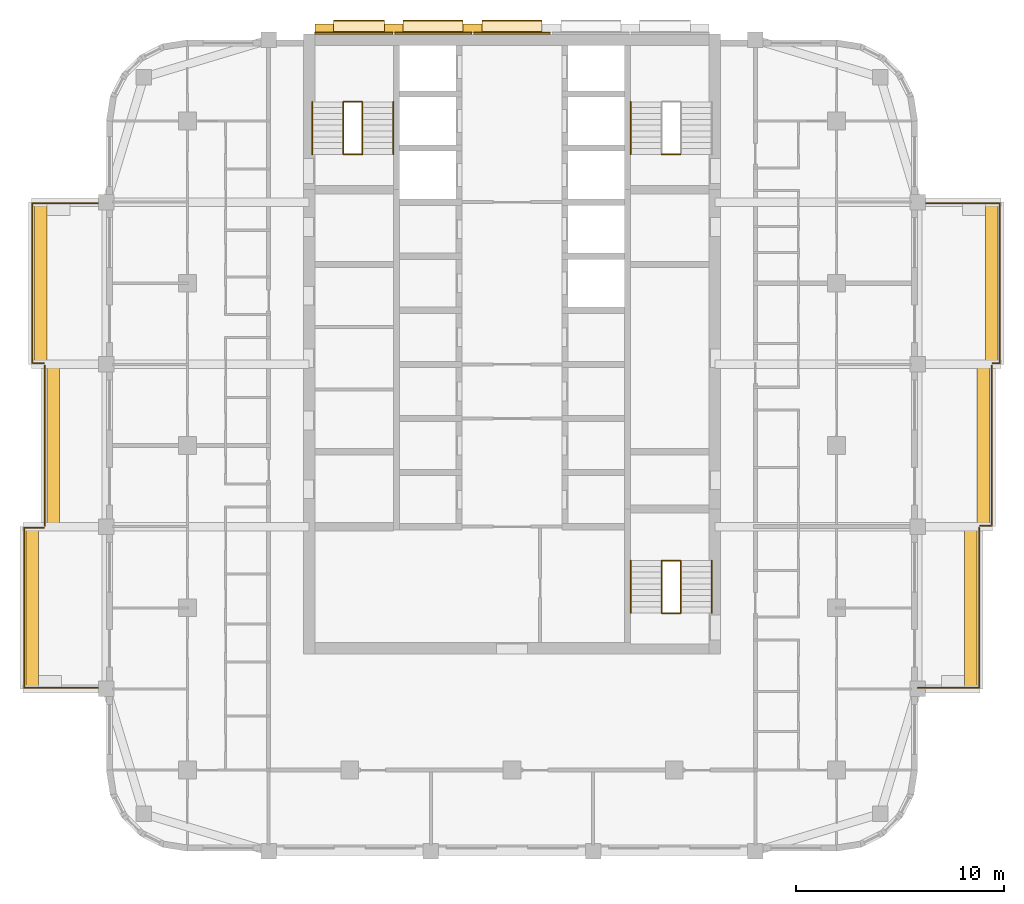
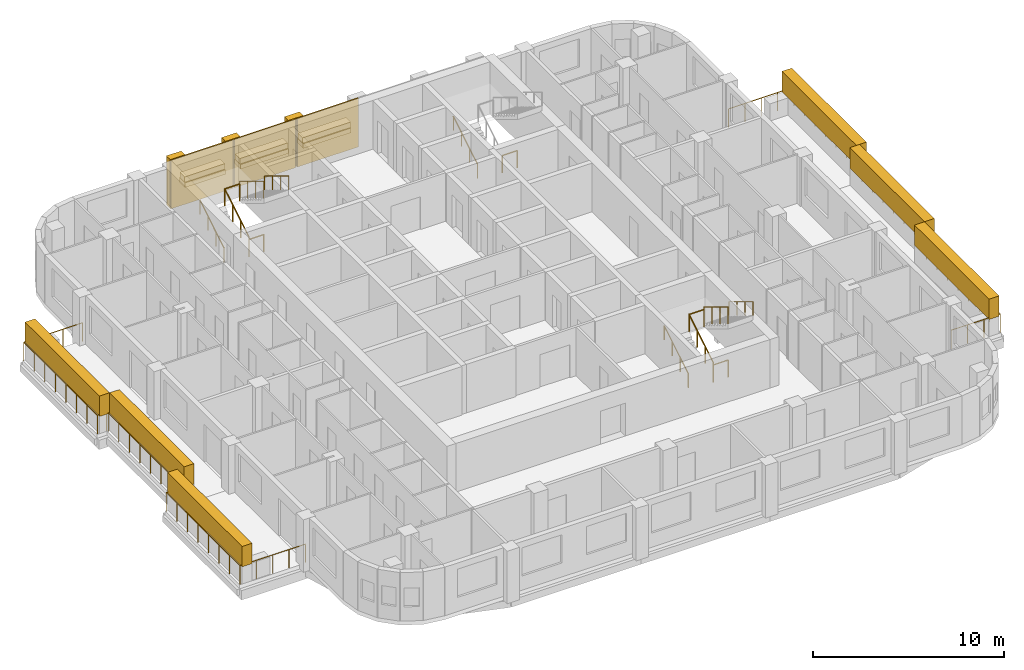
# One storey, part 12 of 13: 20 railings, 18 coverings, 3 elements without a shape of their own.
"""IFC4 building model written with IfcOpenShell, lengths in metres."""

from ifc_helpers import new_model, si_unit, direction, frame, origin, origin_2d, place, context, subcontext, project, spatial, rectangle, circle, extrude, material, layer, layer_set, type_object, element, aggregate, save


model = new_model("IFC4")

# Units and contexts
model_context = context("Model", 3, precision=1e-05, world=origin(), true_north=direction((0.0, 1.0)))
body_context = subcontext(model_context, "Body", "Model", "MODEL_VIEW")
ifc_project = project(units=[si_unit("LENGTHUNIT", "METRE"), si_unit("AREAUNIT", "SQUARE_METRE"), si_unit("VOLUMEUNIT", "CUBIC_METRE"), si_unit("PLANEANGLEUNIT", "RADIAN"), si_unit("MASSUNIT", "GRAM", prefix="KILO")], contexts=[model_context])

# Site, building, storey
site_placement = place(None, origin())
site = spatial("IfcSite", under=ifc_project, at=site_placement, CompositionType="ELEMENT")
building_placement = place(site_placement, origin())
building = spatial("IfcBuilding", under=site, at=building_placement, Name="Ludao Terraces", CompositionType="ELEMENT")
storey_placement = place(building_placement, frame((0.0, 0.0, 189.39990234375)))
storey = spatial("IfcBuildingStorey", under=building, at=storey_placement, Name="L51", CompositionType="ELEMENT", Elevation=189.39990234375)

# Railings
ifc_material_1 = material(Name="Stainless steel 304", Category="steel")
railing_type_1 = type_object("IfcRailingType", Name="ENV Balcony glass guard 1200", PredefinedType="GUARDRAIL", material=ifc_material_1)
railing_1_placement = place(storey_placement, frame((104.5, 53.35009765625, 0.0)))
element("IfcRailing", 1, at=railing_1_placement, inside=storey, type_object=railing_type_1, Name="Balcony guard L51 E1", PredefinedType="GUARDRAIL", context=body_context, shape_type="SweptSolid", body=[
    extrude(circle(Radius=0.02392578125, at=origin_2d()), frame((0.0, 0.0, 1.17578125), z_axis=(1.0, 0.0, 0.0), x_axis=(0.0, 1.0, 0.0)), (0.0, 0.0, 1.0), 2.949951171875),
    extrude(circle(Radius=0.02392578125, at=origin_2d()), frame((2.949951171875, 0.0, 1.17578125), z_axis=(0.0, 1.0, 0.0), x_axis=(-1.0, 0.0, 0.0)), (0.0, 0.0, 1.0), 7.699951171875),
    extrude(circle(Radius=0.02099609375, at=origin_2d()), origin(), (0.0, 0.0, 1.0), 1.15185546875),
    extrude(circle(Radius=0.02099609375, at=origin_2d()), frame((0.9833984375, 0.0, 0.0)), (0.0, 0.0, 1.0), 1.15185546875),
    extrude(circle(Radius=0.02099609375, at=origin_2d()), frame((1.966552734375, 0.0, 0.0)), (0.0, 0.0, 1.0), 1.15185546875),
    extrude(circle(Radius=0.02099609375, at=origin_2d()), frame((2.949951171875, 0.0, 0.0)), (0.0, 0.0, 1.0), 1.15185546875),
    extrude(circle(Radius=0.02099609375, at=origin_2d()), frame((2.949951171875, 1.10009765625, 0.0)), (0.0, 0.0, 1.0), 1.15185546875),
    extrude(circle(Radius=0.02099609375, at=origin_2d()), frame((2.949951171875, 2.199951171875, 0.0)), (0.0, 0.0, 1.0), 1.15185546875),
    extrude(circle(Radius=0.02099609375, at=origin_2d()), frame((2.949951171875, 3.300048828125, 0.0)), (0.0, 0.0, 1.0), 1.15185546875),
    extrude(circle(Radius=0.02099609375, at=origin_2d()), frame((2.949951171875, 4.39990234375, 0.0)), (0.0, 0.0, 1.0), 1.15185546875),
    extrude(circle(Radius=0.02099609375, at=origin_2d()), frame((2.949951171875, 5.5, 0.0)), (0.0, 0.0, 1.0), 1.15185546875),
    extrude(circle(Radius=0.02099609375, at=origin_2d()), frame((2.949951171875, 6.599853515625, 0.0)), (0.0, 0.0, 1.0), 1.15185546875),
    extrude(circle(Radius=0.02099609375, at=origin_2d()), frame((2.949951171875, 7.699951171875, 0.0)), (0.0, 0.0, 1.0), 1.15185546875),
])
railing_2_placement = place(storey_placement, frame((107.5, 61.14990234375, 0.0)))
element("IfcRailing", 2, at=railing_2_placement, inside=storey, type_object=railing_type_1, Name="Balcony guard L51 E2", PredefinedType="GUARDRAIL", context=body_context, shape_type="SweptSolid", body=[
    extrude(circle(Radius=0.02392578125, at=origin_2d()), frame((0.0, 0.0, 1.17578125), z_axis=(1.0, 0.0, 0.0), x_axis=(0.0, 1.0, 0.0)), (0.0, 0.0, 1.0), 0.550048828125),
    extrude(circle(Radius=0.02392578125, at=origin_2d()), frame((0.550048828125, 0.0, 1.17578125), z_axis=(0.0, 1.0, 0.0), x_axis=(-1.0, 0.0, 0.0)), (0.0, 0.0, 1.0), 7.7001953125),
    extrude(circle(Radius=0.02099609375, at=origin_2d()), origin(), (0.0, 0.0, 1.0), 1.15185546875),
    extrude(circle(Radius=0.02099609375, at=origin_2d()), frame((0.550048828125, 0.0, 0.0)), (0.0, 0.0, 1.0), 1.15185546875),
    extrude(circle(Radius=0.02099609375, at=origin_2d()), frame((0.550048828125, 1.10009765625, 0.0)), (0.0, 0.0, 1.0), 1.15185546875),
    extrude(circle(Radius=0.02099609375, at=origin_2d()), frame((0.550048828125, 2.199951171875, 0.0)), (0.0, 0.0, 1.0), 1.15185546875),
    extrude(circle(Radius=0.02099609375, at=origin_2d()), frame((0.550048828125, 3.300048828125, 0.0)), (0.0, 0.0, 1.0), 1.15185546875),
    extrude(circle(Radius=0.02099609375, at=origin_2d()), frame((0.550048828125, 4.400146484375, 0.0)), (0.0, 0.0, 1.0), 1.15185546875),
    extrude(circle(Radius=0.02099609375, at=origin_2d()), frame((0.550048828125, 5.500244140625, 0.0)), (0.0, 0.0, 1.0), 1.15185546875),
    extrude(circle(Radius=0.02099609375, at=origin_2d()), frame((0.550048828125, 6.60009765625, 0.0)), (0.0, 0.0, 1.0), 1.15185546875),
    extrude(circle(Radius=0.02099609375, at=origin_2d()), frame((0.550048828125, 7.7001953125, 0.0)), (0.0, 0.0, 1.0), 1.15185546875),
])
railing_3_placement = place(storey_placement, frame((108.10009765625, 68.949951171875, 0.0)))
element("IfcRailing", 3, at=railing_3_placement, inside=storey, type_object=railing_type_1, Name="Balcony guard L51 E3", PredefinedType="GUARDRAIL", context=body_context, shape_type="SweptSolid", body=[
    extrude(circle(Radius=0.02392578125, at=origin_2d()), frame((0.0, 0.0, 1.17578125), z_axis=(1.0, 0.0, 0.0), x_axis=(0.0, 1.0, 0.0)), (0.0, 0.0, 1.0), 0.349853515625),
    extrude(circle(Radius=0.02392578125, at=origin_2d()), frame((0.349853515625, 0.0, 1.17578125), z_axis=(0.0, 1.0, 0.0), x_axis=(-1.0, 0.0, 0.0)), (0.0, 0.0, 1.0), 7.699951171875),
    extrude(circle(Radius=0.02392578125, at=origin_2d()), frame((0.349853515625, 7.699951171875, 1.17578125), z_axis=(-1.0, 0.0, 0.0), x_axis=(0.0, -1.0, 0.0)), (0.0, 0.0, 1.0), 3.949951171875),
    extrude(circle(Radius=0.02099609375, at=origin_2d()), origin(), (0.0, 0.0, 1.0), 1.15185546875),
    extrude(circle(Radius=0.02099609375, at=origin_2d()), frame((0.349853515625, 0.0, 0.0)), (0.0, 0.0, 1.0), 1.15185546875),
    extrude(circle(Radius=0.02099609375, at=origin_2d()), frame((0.349853515625, 1.10009765625, 0.0)), (0.0, 0.0, 1.0), 1.15185546875),
    extrude(circle(Radius=0.02099609375, at=origin_2d()), frame((0.349853515625, 2.199951171875, 0.0)), (0.0, 0.0, 1.0), 1.15185546875),
    extrude(circle(Radius=0.02099609375, at=origin_2d()), frame((0.349853515625, 3.300048828125, 0.0)), (0.0, 0.0, 1.0), 1.15185546875),
    extrude(circle(Radius=0.02099609375, at=origin_2d()), frame((0.349853515625, 4.39990234375, 0.0)), (0.0, 0.0, 1.0), 1.15185546875),
    extrude(circle(Radius=0.02099609375, at=origin_2d()), frame((0.349853515625, 5.5, 0.0)), (0.0, 0.0, 1.0), 1.15185546875),
    extrude(circle(Radius=0.02099609375, at=origin_2d()), frame((0.349853515625, 6.599853515625, 0.0)), (0.0, 0.0, 1.0), 1.15185546875),
    extrude(circle(Radius=0.02099609375, at=origin_2d()), frame((0.349853515625, 7.699951171875, 0.0)), (0.0, 0.0, 1.0), 1.15185546875),
    extrude(circle(Radius=0.02099609375, at=origin_2d()), frame((-0.6376953125, 7.699951171875, 0.0)), (0.0, 0.0, 1.0), 1.15185546875),
    extrude(circle(Radius=0.02099609375, at=origin_2d()), frame((-1.625, 7.699951171875, 0.0)), (0.0, 0.0, 1.0), 1.15185546875),
    extrude(circle(Radius=0.02099609375, at=origin_2d()), frame((-2.612548828125, 7.699951171875, 0.0)), (0.0, 0.0, 1.0), 1.15185546875),
    extrude(circle(Radius=0.02099609375, at=origin_2d()), frame((-3.60009765625, 7.699951171875, 0.0)), (0.0, 0.0, 1.0), 1.15185546875),
])
railing_4_placement = place(storey_placement, frame((65.5, 53.35009765625, 0.0)))
element("IfcRailing", 4, at=railing_4_placement, inside=storey, type_object=railing_type_1, Name="Balcony guard L51 W1", PredefinedType="GUARDRAIL", context=body_context, shape_type="SweptSolid", body=[
    extrude(circle(Radius=0.02392578125, at=origin_2d()), frame((0.0, 0.0, 1.17578125), z_axis=(-1.0, 0.0, 0.0), x_axis=(0.0, -1.0, 0.0)), (0.0, 0.0, 1.0), 3.949951171875),
    extrude(circle(Radius=0.02392578125, at=origin_2d()), frame((-3.949951171875, 0.0, 1.17578125), z_axis=(0.0, 1.0, 0.0), x_axis=(-1.0, 0.0, 0.0)), (0.0, 0.0, 1.0), 7.699951171875),
    extrude(circle(Radius=0.02392578125, at=origin_2d()), frame((-3.949951171875, 7.699951171875, 1.17578125), z_axis=(1.0, 0.0, 0.0), x_axis=(0.0, 1.0, 0.0)), (0.0, 0.0, 1.0), 0.949951171875),
    extrude(circle(Radius=0.02099609375, at=origin_2d()), origin(), (0.0, 0.0, 1.0), 1.15185546875),
    extrude(circle(Radius=0.02099609375, at=origin_2d()), frame((-0.987548828125, 0.0, 0.0)), (0.0, 0.0, 1.0), 1.15185546875),
    extrude(circle(Radius=0.02099609375, at=origin_2d()), frame((-1.97509765625, 0.0, 0.0)), (0.0, 0.0, 1.0), 1.15185546875),
    extrude(circle(Radius=0.02099609375, at=origin_2d()), frame((-2.96240234375, 0.0, 0.0)), (0.0, 0.0, 1.0), 1.15185546875),
    extrude(circle(Radius=0.02099609375, at=origin_2d()), frame((-3.949951171875, 0.0, 0.0)), (0.0, 0.0, 1.0), 1.15185546875),
    extrude(circle(Radius=0.02099609375, at=origin_2d()), frame((-3.949951171875, 1.10009765625, 0.0)), (0.0, 0.0, 1.0), 1.15185546875),
    extrude(circle(Radius=0.02099609375, at=origin_2d()), frame((-3.949951171875, 2.199951171875, 0.0)), (0.0, 0.0, 1.0), 1.15185546875),
    extrude(circle(Radius=0.02099609375, at=origin_2d()), frame((-3.949951171875, 3.300048828125, 0.0)), (0.0, 0.0, 1.0), 1.15185546875),
    extrude(circle(Radius=0.02099609375, at=origin_2d()), frame((-3.949951171875, 4.39990234375, 0.0)), (0.0, 0.0, 1.0), 1.15185546875),
    extrude(circle(Radius=0.02099609375, at=origin_2d()), frame((-3.949951171875, 5.5, 0.0)), (0.0, 0.0, 1.0), 1.15185546875),
    extrude(circle(Radius=0.02099609375, at=origin_2d()), frame((-3.949951171875, 6.599853515625, 0.0)), (0.0, 0.0, 1.0), 1.15185546875),
    extrude(circle(Radius=0.02099609375, at=origin_2d()), frame((-3.949951171875, 7.699951171875, 0.0)), (0.0, 0.0, 1.0), 1.15185546875),
    extrude(circle(Radius=0.02099609375, at=origin_2d()), frame((-3.0, 7.699951171875, 0.0)), (0.0, 0.0, 1.0), 1.15185546875),
])
railing_5_placement = place(storey_placement, frame((62.550048828125, 61.14990234375, 0.0)))
element("IfcRailing", 5, at=railing_5_placement, inside=storey, type_object=railing_type_1, Name="Balcony guard L51 W2", PredefinedType="GUARDRAIL", context=body_context, shape_type="SweptSolid", body=[
    extrude(circle(Radius=0.02392578125, at=origin_2d()), frame((0.0, 0.0, 1.17578125), z_axis=(0.0, 1.0, 0.0), x_axis=(-1.0, 0.0, 0.0)), (0.0, 0.0, 1.0), 7.7001953125),
    extrude(circle(Radius=0.02099609375, at=origin_2d()), origin(), (0.0, 0.0, 1.0), 1.15185546875),
    extrude(circle(Radius=0.02099609375, at=origin_2d()), frame((0.0, 1.10009765625, 0.0)), (0.0, 0.0, 1.0), 1.15185546875),
    extrude(circle(Radius=0.02099609375, at=origin_2d()), frame((0.0, 2.199951171875, 0.0)), (0.0, 0.0, 1.0), 1.15185546875),
    extrude(circle(Radius=0.02099609375, at=origin_2d()), frame((0.0, 3.300048828125, 0.0)), (0.0, 0.0, 1.0), 1.15185546875),
    extrude(circle(Radius=0.02099609375, at=origin_2d()), frame((0.0, 4.400146484375, 0.0)), (0.0, 0.0, 1.0), 1.15185546875),
    extrude(circle(Radius=0.02099609375, at=origin_2d()), frame((0.0, 5.500244140625, 0.0)), (0.0, 0.0, 1.0), 1.15185546875),
    extrude(circle(Radius=0.02099609375, at=origin_2d()), frame((0.0, 6.60009765625, 0.0)), (0.0, 0.0, 1.0), 1.15185546875),
    extrude(circle(Radius=0.02099609375, at=origin_2d()), frame((0.0, 7.7001953125, 0.0)), (0.0, 0.0, 1.0), 1.15185546875),
])
railing_6_placement = place(storey_placement, frame((62.5, 68.949951171875, 0.0)))
element("IfcRailing", 6, at=railing_6_placement, inside=storey, type_object=railing_type_1, Name="Balcony guard L51 W3", PredefinedType="GUARDRAIL", context=body_context, shape_type="SweptSolid", body=[
    extrude(circle(Radius=0.02392578125, at=origin_2d()), frame((0.0, 0.0, 1.17578125), z_axis=(-1.0, 0.0, 0.0), x_axis=(0.0, -1.0, 0.0)), (0.0, 0.0, 1.0), 0.550048828125),
    extrude(circle(Radius=0.02392578125, at=origin_2d()), frame((-0.550048828125, 0.0, 1.17578125), z_axis=(0.0, 1.0, 0.0), x_axis=(-1.0, 0.0, 0.0)), (0.0, 0.0, 1.0), 7.699951171875),
    extrude(circle(Radius=0.02392578125, at=origin_2d()), frame((-0.550048828125, 7.699951171875, 1.17578125), z_axis=(1.0, 0.0, 0.0), x_axis=(0.0, 1.0, 0.0)), (0.0, 0.0, 1.0), 3.550048828125),
    extrude(circle(Radius=0.02099609375, at=origin_2d()), origin(), (0.0, 0.0, 1.0), 1.15185546875),
    extrude(circle(Radius=0.02099609375, at=origin_2d()), frame((-0.550048828125, 0.0, 0.0)), (0.0, 0.0, 1.0), 1.15185546875),
    extrude(circle(Radius=0.02099609375, at=origin_2d()), frame((-0.550048828125, 1.10009765625, 0.0)), (0.0, 0.0, 1.0), 1.15185546875),
    extrude(circle(Radius=0.02099609375, at=origin_2d()), frame((-0.550048828125, 2.199951171875, 0.0)), (0.0, 0.0, 1.0), 1.15185546875),
    extrude(circle(Radius=0.02099609375, at=origin_2d()), frame((-0.550048828125, 3.300048828125, 0.0)), (0.0, 0.0, 1.0), 1.15185546875),
    extrude(circle(Radius=0.02099609375, at=origin_2d()), frame((-0.550048828125, 4.39990234375, 0.0)), (0.0, 0.0, 1.0), 1.15185546875),
    extrude(circle(Radius=0.02099609375, at=origin_2d()), frame((-0.550048828125, 5.5, 0.0)), (0.0, 0.0, 1.0), 1.15185546875),
    extrude(circle(Radius=0.02099609375, at=origin_2d()), frame((-0.550048828125, 6.599853515625, 0.0)), (0.0, 0.0, 1.0), 1.15185546875),
    extrude(circle(Radius=0.02099609375, at=origin_2d()), frame((-0.550048828125, 7.699951171875, 0.0)), (0.0, 0.0, 1.0), 1.15185546875),
    extrude(circle(Radius=0.02099609375, at=origin_2d()), frame((0.63330078125, 7.699951171875, 0.0)), (0.0, 0.0, 1.0), 1.15185546875),
    extrude(circle(Radius=0.02099609375, at=origin_2d()), frame((1.816650390625, 7.699951171875, 0.0)), (0.0, 0.0, 1.0), 1.15185546875),
    extrude(circle(Radius=0.02099609375, at=origin_2d()), frame((3.0, 7.699951171875, 0.0)), (0.0, 0.0, 1.0), 1.15185546875),
])

# Coverings
ifc_material_2 = material(Name="Granite cladding", Category="masonry")
ifc_layer_1 = layer(ifc_material_2, 0.39990234375)
ifc_layer_set_1 = layer_set([ifc_layer_1], Name="ENV Core pilaster stone 400")
covering_type_1 = type_object("IfcCoveringType", Name="ENV Core pilaster stone 400", PredefinedType="CLADDING", material=ifc_layer_set_1)
for number, where, z_axis, x_axis, name in (
    (7, (75.97509765625, 85.054931640625, 0.0), (0.0, 0.0, 1.0), (1.0, 0.0, 0.0), "CC-L51-PIL1"),
    (8, (79.31494140625, 85.054931640625, 0.0), (0.0, 0.0, 1.0), (1.0, 0.0, 0.0), "CC-L51-PIL2"),
    (9, (83.10498046875, 85.054931640625, 0.0), (0.0, 0.0, 1.0), (1.0, 0.0, 0.0), "CC-L51-PIL3"),
):
    element("IfcCovering", number, at=place(storey_placement, frame(where, z_axis=z_axis, x_axis=x_axis)), inside=storey, type_object=covering_type_1, Name=name, PredefinedType="CLADDING", context=body_context, shape_type="SweptSolid", body=[
        extrude(rectangle(XDim=0.89990234375, YDim=0.39990234375, at=origin_2d()), origin(), (0.0, 0.0, 1.0), 3.10009765625),
    ])
ifc_layer_2 = layer(ifc_material_2, 0.60009765625)
ifc_layer_set_2 = layer_set([ifc_layer_2], Name="ENV Core planting shelf stone 600")
covering_type_2 = type_object("IfcCoveringType", Name="ENV Core planting shelf stone 600", PredefinedType="CLADDING", material=ifc_layer_set_2)
covering_1_placement = place(storey_placement, frame((77.64501953125, 85.155029296875, 1.0), z_axis=(0.0, 0.0, 1.0), x_axis=(1.0, 0.0, 0.0)))
element("IfcCovering", 10, at=covering_1_placement, inside=storey, type_object=covering_type_2, Name="CC-L51-SHELF1", PredefinedType="CLADDING", context=body_context, shape_type="SweptSolid", body=[
    extrude(rectangle(XDim=2.43994140625, YDim=0.60009765625, at=origin_2d()), origin(), (0.0, 0.0, 1.0), 0.300048828125),
])
for number, where, z_axis, x_axis, name in (
    (11, (81.2099609375, 85.155029296875, 1.0), (0.0, 0.0, 1.0), (1.0, 0.0, 0.0), "CC-L51-SHELF2"),
    (12, (85.0, 85.155029296875, 1.0), (0.0, 0.0, 1.0), (1.0, 0.0, 0.0), "CC-L51-SHELF3"),
):
    element("IfcCovering", number, at=place(storey_placement, frame(where, z_axis=z_axis, x_axis=x_axis)), inside=storey, type_object=covering_type_2, Name=name, PredefinedType="CLADDING", context=body_context, shape_type="SweptSolid", body=[
        extrude(rectangle(XDim=2.889892578125, YDim=0.60009765625, at=origin_2d()), origin(), (0.0, 0.0, 1.0), 0.300048828125),
    ])
ifc_layer_3 = layer(ifc_material_2, 0.080078125)
ifc_layer_set_3 = layer_set([ifc_layer_3], Name="ENV Core stone cladding panel 80")
covering_type_3 = type_object("IfcCoveringType", Name="ENV Core stone cladding panel 80", PredefinedType="CLADDING", material=ifc_layer_set_3)
covering_2_placement = place(storey_placement, frame((77.39501953125, 84.81494140625, 0.0), z_axis=(0.0, 0.0, 1.0), x_axis=(1.0, 0.0, 0.0)))
element("IfcCovering", 13, at=covering_2_placement, inside=storey, type_object=covering_type_3, Name="CC-L51-CORE1", PredefinedType="CLADDING", context=body_context, shape_type="SweptSolid", body=[
    extrude(rectangle(XDim=3.739990234375, YDim=0.080078125, at=origin_2d()), origin(), (0.0, 0.0, 1.0), 3.10009765625),
])
for number, where, z_axis, x_axis, name in (
    (14, (81.2099609375, 84.81494140625, 0.0), (0.0, 0.0, 1.0), (1.0, 0.0, 0.0), "CC-L51-CORE2"),
    (15, (85.0, 84.81494140625, 0.0), (0.0, 0.0, 1.0), (1.0, 0.0, 0.0), "CC-L51-CORE3"),
):
    element("IfcCovering", number, at=place(storey_placement, frame(where, z_axis=z_axis, x_axis=x_axis)), inside=storey, type_object=covering_type_3, Name=name, PredefinedType="CLADDING", context=body_context, shape_type="SweptSolid", body=[
        extrude(rectangle(XDim=3.68994140625, YDim=0.080078125, at=origin_2d()), origin(), (0.0, 0.0, 1.0), 3.10009765625),
    ])
ifc_material_3 = material(Name="Planting")
ifc_layer_4 = layer(ifc_material_3, 0.60009765625)
ifc_layer_set_4 = layer_set([ifc_layer_4], Name="ENV Planting hedge 600x1300")
covering_type_4 = type_object("IfcCoveringType", Name="ENV Planting hedge 600x1300", PredefinedType="USERDEFINED", material=ifc_layer_set_4)
for number, where, z_axis, x_axis, name in (
    (16, (107.050048828125, 57.199951171875, 1.10009765625), (0.0, 0.0, 1.0), (1.0, 0.0, 0.0), "Planting hedge L51-E1"),
    (17, (107.64990234375, 65.0, 1.10009765625), (0.0, 0.0, 1.0), (1.0, 0.0, 0.0), "Planting hedge L51-E2"),
    (18, (108.050048828125, 72.800048828125, 1.10009765625), (0.0, 0.0, 1.0), (1.0, 0.0, 0.0), "Planting hedge L51-E3"),
    (19, (61.949951171875, 57.199951171875, 1.10009765625), (0.0, 0.0, 1.0), (1.0, 0.0, 0.0), "Planting hedge L51-W1"),
    (20, (62.949951171875, 65.0, 1.10009765625), (0.0, 0.0, 1.0), (1.0, 0.0, 0.0), "Planting hedge L51-W2"),
    (21, (62.35009765625, 72.800048828125, 1.10009765625), (0.0, 0.0, 1.0), (1.0, 0.0, 0.0), "Planting hedge L51-W3"),
):
    element("IfcCovering", number, at=place(storey_placement, frame(where, z_axis=z_axis, x_axis=x_axis)), inside=storey, type_object=covering_type_4, Name=name, ObjectType="PLANTING", PredefinedType="USERDEFINED", context=body_context, shape_type="SweptSolid", body=[
        extrude(rectangle(XDim=0.60009765625, YDim=7.800048828125, at=origin_2d()), origin(), (0.0, 0.0, 1.0), 1.300048828125),
    ])
ifc_layer_5 = layer(ifc_material_3, 0.5)
ifc_layer_set_5 = layer_set([ifc_layer_5], Name="ENV Shelf planting bed 350")
covering_type_5 = type_object("IfcCoveringType", Name="ENV Shelf planting bed 350", PredefinedType="USERDEFINED", material=ifc_layer_set_5)
covering_3_placement = place(storey_placement, frame((77.64501953125, 85.155029296875, 1.300048828125), z_axis=(0.0, 0.0, 1.0), x_axis=(1.0, 0.0, 0.0)))
element("IfcCovering", 22, at=covering_3_placement, inside=storey, type_object=covering_type_5, Name="Shelf planting bed L51 1", ObjectType="PLANTING", PredefinedType="USERDEFINED", context=body_context, shape_type="SweptSolid", body=[
    extrude(rectangle(XDim=2.43994140625, YDim=0.5, at=origin_2d()), origin(), (0.0, 0.0, 1.0), 0.35009765625),
])
for number, where, z_axis, x_axis, name in (
    (23, (81.2099609375, 85.155029296875, 1.300048828125), (0.0, 0.0, 1.0), (1.0, 0.0, 0.0), "Shelf planting bed L51 2"),
    (24, (85.0, 85.155029296875, 1.300048828125), (0.0, 0.0, 1.0), (1.0, 0.0, 0.0), "Shelf planting bed L51 3"),
):
    element("IfcCovering", number, at=place(storey_placement, frame(where, z_axis=z_axis, x_axis=x_axis)), inside=storey, type_object=covering_type_5, Name=name, ObjectType="PLANTING", PredefinedType="USERDEFINED", context=body_context, shape_type="SweptSolid", body=[
        extrude(rectangle(XDim=2.889892578125, YDim=0.5, at=origin_2d()), origin(), (0.0, 0.0, 1.0), 0.35009765625),
    ])

# Stair, railings
ifc_material_4 = material(Name="Concrete C40", Category="concrete")
stair_type = type_object("IfcStairType", Name="INT Stair", PredefinedType="HALF_TURN_STAIR", material=ifc_material_4)
stair_1_placement = place(storey_placement, origin())
stair_1 = element("IfcStair", 25, at=stair_1_placement, inside=storey, type_object=stair_type, Name="EXIT STAIR 1", PredefinedType="HALF_TURN_STAIR")
railing_type_2 = type_object("IfcRailingType", Name="INT Stair guard 1100", PredefinedType="GUARDRAIL", material=ifc_material_1)
railing_7_placement = place(storey_placement, frame((76.89990234375, 79.0, 0.170166015625)))
railing_7 = element("IfcRailing", 26, at=railing_7_placement, type_object=railing_type_2, Name="ST-L51-S1-R1G", PredefinedType="GUARDRAIL", context=body_context, shape_type="SweptSolid", body=[
    extrude(circle(Radius=0.02392578125, at=origin_2d()), frame((0.0, 0.0, 1.076171875), z_axis=(0.0, 0.85478489116, 0.518982456201), x_axis=(-1.0, 0.0, 0.0)), (0.0, 0.0, 1.0), 2.9482421875),
    extrude(circle(Radius=0.02099609375, at=origin_2d()), origin(), (0.0, 0.0, 1.0), 1.052001953125),
    extrude(circle(Radius=0.02099609375, at=origin_2d()), frame((0.0, 0.840087890625, 0.510009765625)), (0.0, 0.0, 1.0), 1.052001953125),
    extrude(circle(Radius=0.02099609375, at=origin_2d()), frame((0.0, 1.679931640625, 1.02001953125)), (0.0, 0.0, 1.0), 1.052001953125),
    extrude(circle(Radius=0.02099609375, at=origin_2d()), frame((0.0, 2.52001953125, 1.530029296875)), (0.0, 0.0, 1.0), 1.052001953125),
])
railing_8_placement = place(storey_placement, frame((77.800048828125, 81.52001953125, 1.8701171875)))
railing_8 = element("IfcRailing", 27, at=railing_8_placement, type_object=railing_type_2, Name="ST-L51-S1-R2G", PredefinedType="GUARDRAIL", context=body_context, shape_type="SweptSolid", body=[
    extrude(circle(Radius=0.02392578125, at=origin_2d()), frame((0.0, 0.0, 1.076171875), z_axis=(0.0, -0.85478489116, 0.518982456201), x_axis=(1.0, 0.0, 0.0)), (0.0, 0.0, 1.0), 2.9482421875),
    extrude(circle(Radius=0.02099609375, at=origin_2d()), origin(), (0.0, 0.0, 1.0), 1.052001953125),
    extrude(circle(Radius=0.02099609375, at=origin_2d()), frame((0.0, -0.840087890625, 0.510009765625)), (0.0, 0.0, 1.0), 1.052001953125),
    extrude(circle(Radius=0.02099609375, at=origin_2d()), frame((0.0, -1.679931640625, 1.02001953125)), (0.0, 0.0, 1.0), 1.052001953125),
    extrude(circle(Radius=0.02099609375, at=origin_2d()), frame((0.0, -2.52001953125, 1.530029296875)), (0.0, 0.0, 1.0), 1.052001953125),
])
railing_9_placement = place(storey_placement, frame((76.89990234375, 81.52001953125, 1.7001953125)))
railing_9 = element("IfcRailing", 28, at=railing_9_placement, type_object=railing_type_2, Name="ST-L51-S1-E1G", PredefinedType="GUARDRAIL", context=body_context, shape_type="SweptSolid", body=[
    extrude(circle(Radius=0.02392578125, at=origin_2d()), frame((0.0, 0.0, 1.076171875), z_axis=(1.0, 0.0, 0.0), x_axis=(0.0, 1.0, 0.0)), (0.0, 0.0, 1.0), 0.900146484375),
    extrude(circle(Radius=0.02099609375, at=origin_2d()), origin(), (0.0, 0.0, 1.0), 1.052001953125),
    extrude(circle(Radius=0.02099609375, at=origin_2d()), frame((0.900146484375, 0.0, 0.0)), (0.0, 0.0, 1.0), 1.052001953125),
])
railing_10_placement = place(storey_placement, frame((76.89990234375, 79.0, 0.0)))
railing_10 = element("IfcRailing", 29, at=railing_10_placement, type_object=railing_type_2, Name="ST-L51-S1-E2G", PredefinedType="GUARDRAIL", context=body_context, shape_type="SweptSolid", body=[
    extrude(circle(Radius=0.02392578125, at=origin_2d()), frame((0.0, 0.0, 1.076171875), z_axis=(1.0, 0.0, 0.0), x_axis=(0.0, 1.0, 0.0)), (0.0, 0.0, 1.0), 0.900146484375),
    extrude(circle(Radius=0.02099609375, at=origin_2d()), origin(), (0.0, 0.0, 1.0), 1.052001953125),
    extrude(circle(Radius=0.02099609375, at=origin_2d()), frame((0.900146484375, 0.0, 0.0)), (0.0, 0.0, 1.0), 1.052001953125),
])

# Stair, railing
stair_2_placement = place(storey_placement, origin())
stair_2 = element("IfcStair", 30, at=stair_2_placement, inside=storey, type_object=stair_type, Name="EXIT STAIR 2", PredefinedType="HALF_TURN_STAIR")
railing_11_placement = place(storey_placement, frame((92.199951171875, 79.0, 0.0)))
railing_11 = element("IfcRailing", 31, at=railing_11_placement, type_object=railing_type_2, Name="ST-L51-S2-E2G", PredefinedType="GUARDRAIL", context=body_context, shape_type="SweptSolid", body=[
    extrude(circle(Radius=0.02392578125, at=origin_2d()), frame((0.0, 0.0, 1.076171875), z_axis=(1.0, 0.0, 0.0), x_axis=(0.0, 1.0, 0.0)), (0.0, 0.0, 1.0), 0.900146484375),
    extrude(circle(Radius=0.02099609375, at=origin_2d()), origin(), (0.0, 0.0, 1.0), 1.052001953125),
    extrude(circle(Radius=0.02099609375, at=origin_2d()), frame((0.900146484375, 0.0, 0.0)), (0.0, 0.0, 1.0), 1.052001953125),
])

# Stair, railings
stair_3_placement = place(storey_placement, origin())
stair_3 = element("IfcStair", 32, at=stair_3_placement, inside=storey, type_object=stair_type, Name="EXIT STAIR 3", PredefinedType="HALF_TURN_STAIR")
railing_12_placement = place(storey_placement, frame((92.199951171875, 56.949951171875, 0.170166015625)))
railing_12 = element("IfcRailing", 33, at=railing_12_placement, type_object=railing_type_2, Name="ST-L51-S3-R1G", PredefinedType="GUARDRAIL", context=body_context, shape_type="SweptSolid", body=[
    extrude(circle(Radius=0.02392578125, at=origin_2d()), frame((0.0, 0.0, 1.076171875), z_axis=(0.0, 0.85478489116, 0.518982456201), x_axis=(-1.0, 0.0, 0.0)), (0.0, 0.0, 1.0), 2.9482421875),
    extrude(circle(Radius=0.02099609375, at=origin_2d()), origin(), (0.0, 0.0, 1.0), 1.052001953125),
    extrude(circle(Radius=0.02099609375, at=origin_2d()), frame((0.0, 0.840087890625, 0.510009765625)), (0.0, 0.0, 1.0), 1.052001953125),
    extrude(circle(Radius=0.02099609375, at=origin_2d()), frame((0.0, 1.679931640625, 1.02001953125)), (0.0, 0.0, 1.0), 1.052001953125),
    extrude(circle(Radius=0.02099609375, at=origin_2d()), frame((0.0, 2.52001953125, 1.530029296875)), (0.0, 0.0, 1.0), 1.052001953125),
])
railing_13_placement = place(storey_placement, frame((93.10009765625, 59.469970703125, 1.8701171875)))
railing_13 = element("IfcRailing", 34, at=railing_13_placement, type_object=railing_type_2, Name="ST-L51-S3-R2G", PredefinedType="GUARDRAIL", context=body_context, shape_type="SweptSolid", body=[
    extrude(circle(Radius=0.02392578125, at=origin_2d()), frame((0.0, 0.0, 1.076171875), z_axis=(0.0, -0.85478489116, 0.518982456201), x_axis=(1.0, 0.0, 0.0)), (0.0, 0.0, 1.0), 2.9482421875),
    extrude(circle(Radius=0.02099609375, at=origin_2d()), origin(), (0.0, 0.0, 1.0), 1.052001953125),
    extrude(circle(Radius=0.02099609375, at=origin_2d()), frame((0.0, -0.840087890625, 0.510009765625)), (0.0, 0.0, 1.0), 1.052001953125),
    extrude(circle(Radius=0.02099609375, at=origin_2d()), frame((0.0, -1.679931640625, 1.02001953125)), (0.0, 0.0, 1.0), 1.052001953125),
    extrude(circle(Radius=0.02099609375, at=origin_2d()), frame((0.0, -2.52001953125, 1.530029296875)), (0.0, 0.0, 1.0), 1.052001953125),
])
railing_14_placement = place(storey_placement, frame((92.199951171875, 59.469970703125, 1.7001953125)))
railing_14 = element("IfcRailing", 35, at=railing_14_placement, type_object=railing_type_2, Name="ST-L51-S3-E1G", PredefinedType="GUARDRAIL", context=body_context, shape_type="SweptSolid", body=[
    extrude(circle(Radius=0.02392578125, at=origin_2d()), frame((0.0, 0.0, 1.076171875), z_axis=(1.0, 0.0, 0.0), x_axis=(0.0, 1.0, 0.0)), (0.0, 0.0, 1.0), 0.900146484375),
    extrude(circle(Radius=0.02099609375, at=origin_2d()), origin(), (0.0, 0.0, 1.0), 1.052001953125),
    extrude(circle(Radius=0.02099609375, at=origin_2d()), frame((0.900146484375, 0.0, 0.0)), (0.0, 0.0, 1.0), 1.052001953125),
])
railing_15_placement = place(storey_placement, frame((92.199951171875, 56.949951171875, 0.0)))
railing_15 = element("IfcRailing", 36, at=railing_15_placement, type_object=railing_type_2, Name="ST-L51-S3-E2G", PredefinedType="GUARDRAIL", context=body_context, shape_type="SweptSolid", body=[
    extrude(circle(Radius=0.02392578125, at=origin_2d()), frame((0.0, 0.0, 1.076171875), z_axis=(1.0, 0.0, 0.0), x_axis=(0.0, 1.0, 0.0)), (0.0, 0.0, 1.0), 0.900146484375),
    extrude(circle(Radius=0.02099609375, at=origin_2d()), origin(), (0.0, 0.0, 1.0), 1.052001953125),
    extrude(circle(Radius=0.02099609375, at=origin_2d()), frame((0.900146484375, 0.0, 0.0)), (0.0, 0.0, 1.0), 1.052001953125),
])

# Railing
railing_type_3 = type_object("IfcRailingType", Name="INT Stair handrail 900", PredefinedType="HANDRAIL", material=ifc_material_1)
railing_16_placement = place(storey_placement, frame((75.39990234375, 79.0, 0.170166015625)))
railing_16 = element("IfcRailing", 37, at=railing_16_placement, type_object=railing_type_3, Name="ST-L51-S1-R1H", PredefinedType="HANDRAIL", context=body_context, shape_type="SweptSolid", body=[
    extrude(circle(Radius=0.02392578125, at=origin_2d()), frame((0.0, 0.0, 0.8759765625), z_axis=(0.0, 0.85478489116, 0.518982456201), x_axis=(-1.0, 0.0, 0.0)), (0.0, 0.0, 1.0), 2.9482421875),
    extrude(circle(Radius=0.02099609375, at=origin_2d()), origin(), (0.0, 0.0, 1.0), 0.851806640625),
    extrude(circle(Radius=0.02099609375, at=origin_2d()), frame((0.0, 0.840087890625, 0.510009765625)), (0.0, 0.0, 1.0), 0.851806640625),
    extrude(circle(Radius=0.02099609375, at=origin_2d()), frame((0.0, 1.679931640625, 1.02001953125)), (0.0, 0.0, 1.0), 0.851806640625),
    extrude(circle(Radius=0.02099609375, at=origin_2d()), frame((0.0, 2.52001953125, 1.530029296875)), (0.0, 0.0, 1.0), 0.851806640625),
])

railing_17_placement = place(storey_placement, frame((79.300048828125, 81.52001953125, 1.8701171875)))
railing_17 = element("IfcRailing", 38, at=railing_17_placement, type_object=railing_type_3, Name="ST-L51-S1-R2H", PredefinedType="HANDRAIL", context=body_context, shape_type="SweptSolid", body=[
    extrude(circle(Radius=0.02392578125, at=origin_2d()), frame((0.0, 0.0, 0.8759765625), z_axis=(0.0, -0.85478489116, 0.518982456201), x_axis=(1.0, 0.0, 0.0)), (0.0, 0.0, 1.0), 2.9482421875),
    extrude(circle(Radius=0.02099609375, at=origin_2d()), origin(), (0.0, 0.0, 1.0), 0.851806640625),
    extrude(circle(Radius=0.02099609375, at=origin_2d()), frame((0.0, -0.840087890625, 0.510009765625)), (0.0, 0.0, 1.0), 0.851806640625),
    extrude(circle(Radius=0.02099609375, at=origin_2d()), frame((0.0, -1.679931640625, 1.02001953125)), (0.0, 0.0, 1.0), 0.851806640625),
    extrude(circle(Radius=0.02099609375, at=origin_2d()), frame((0.0, -2.52001953125, 1.530029296875)), (0.0, 0.0, 1.0), 0.851806640625),
])

aggregate(stair_1, [railing_7, railing_16, railing_8, railing_17, railing_9, railing_10])

railing_18_placement = place(storey_placement, frame((90.699951171875, 79.0, 0.170166015625)))
railing_18 = element("IfcRailing", 39, at=railing_18_placement, type_object=railing_type_3, Name="ST-L51-S2-R1H", PredefinedType="HANDRAIL", context=body_context, shape_type="SweptSolid", body=[
    extrude(circle(Radius=0.02392578125, at=origin_2d()), frame((0.0, 0.0, 0.8759765625), z_axis=(0.0, 0.85478489116, 0.518982456201), x_axis=(-1.0, 0.0, 0.0)), (0.0, 0.0, 1.0), 2.9482421875),
    extrude(circle(Radius=0.02099609375, at=origin_2d()), origin(), (0.0, 0.0, 1.0), 0.851806640625),
    extrude(circle(Radius=0.02099609375, at=origin_2d()), frame((0.0, 0.840087890625, 0.510009765625)), (0.0, 0.0, 1.0), 0.851806640625),
    extrude(circle(Radius=0.02099609375, at=origin_2d()), frame((0.0, 1.679931640625, 1.02001953125)), (0.0, 0.0, 1.0), 0.851806640625),
    extrude(circle(Radius=0.02099609375, at=origin_2d()), frame((0.0, 2.52001953125, 1.530029296875)), (0.0, 0.0, 1.0), 0.851806640625),
])

aggregate(stair_2, [railing_18, railing_11])

railing_19_placement = place(storey_placement, frame((90.699951171875, 56.949951171875, 0.170166015625)))
railing_19 = element("IfcRailing", 40, at=railing_19_placement, type_object=railing_type_3, Name="ST-L51-S3-R1H", PredefinedType="HANDRAIL", context=body_context, shape_type="SweptSolid", body=[
    extrude(circle(Radius=0.02392578125, at=origin_2d()), frame((0.0, 0.0, 0.8759765625), z_axis=(0.0, 0.85478489116, 0.518982456201), x_axis=(-1.0, 0.0, 0.0)), (0.0, 0.0, 1.0), 2.9482421875),
    extrude(circle(Radius=0.02099609375, at=origin_2d()), origin(), (0.0, 0.0, 1.0), 0.851806640625),
    extrude(circle(Radius=0.02099609375, at=origin_2d()), frame((0.0, 0.840087890625, 0.510009765625)), (0.0, 0.0, 1.0), 0.851806640625),
    extrude(circle(Radius=0.02099609375, at=origin_2d()), frame((0.0, 1.679931640625, 1.02001953125)), (0.0, 0.0, 1.0), 0.851806640625),
    extrude(circle(Radius=0.02099609375, at=origin_2d()), frame((0.0, 2.52001953125, 1.530029296875)), (0.0, 0.0, 1.0), 0.851806640625),
])

railing_20_placement = place(storey_placement, frame((94.60009765625, 59.469970703125, 1.8701171875)))
railing_20 = element("IfcRailing", 41, at=railing_20_placement, type_object=railing_type_3, Name="ST-L51-S3-R2H", PredefinedType="HANDRAIL", context=body_context, shape_type="SweptSolid", body=[
    extrude(circle(Radius=0.02392578125, at=origin_2d()), frame((0.0, 0.0, 0.8759765625), z_axis=(0.0, -0.85478489116, 0.518982456201), x_axis=(1.0, 0.0, 0.0)), (0.0, 0.0, 1.0), 2.9482421875),
    extrude(circle(Radius=0.02099609375, at=origin_2d()), origin(), (0.0, 0.0, 1.0), 0.851806640625),
    extrude(circle(Radius=0.02099609375, at=origin_2d()), frame((0.0, -0.840087890625, 0.510009765625)), (0.0, 0.0, 1.0), 0.851806640625),
    extrude(circle(Radius=0.02099609375, at=origin_2d()), frame((0.0, -1.679931640625, 1.02001953125)), (0.0, 0.0, 1.0), 0.851806640625),
    extrude(circle(Radius=0.02099609375, at=origin_2d()), frame((0.0, -2.52001953125, 1.530029296875)), (0.0, 0.0, 1.0), 0.851806640625),
])

aggregate(stair_3, [railing_12, railing_19, railing_13, railing_20, railing_14, railing_15])

save(model, "model.ifc")
